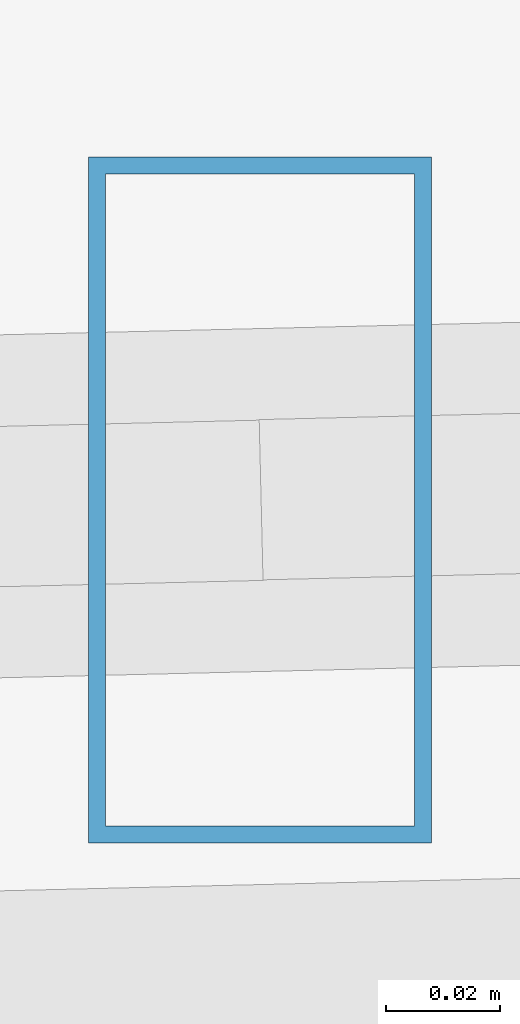
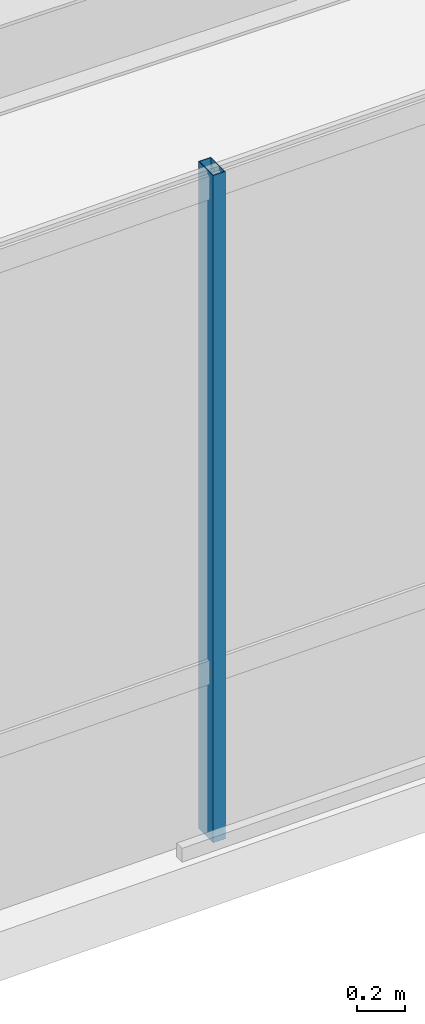
# One storey, part 5 of 45: 1 member, 1 element without a shape of its own.
"""IFC4 building model written with IfcOpenShell, lengths in metres."""

from ifc_helpers import new_model, si_unit, direction, frame, origin, origin_2d, place, context, subcontext, project, spatial, hollow_rectangle, extrude, source, transform, mapped, material, material_profile, profile_set, type_object, type_shapes, element, aggregate, save


model = new_model("IFC4")

# Units and contexts
model_context = context("Model", 3, precision=1e-05, world=origin(), true_north=direction((0.0, 1.0)))
body_context = subcontext(model_context, "Body", "Model", "MODEL_VIEW")
ifc_project = project(units=[si_unit("LENGTHUNIT", "METRE"), si_unit("AREAUNIT", "SQUARE_METRE"), si_unit("VOLUMEUNIT", "CUBIC_METRE"), si_unit("PLANEANGLEUNIT", "RADIAN"), si_unit("MASSUNIT", "GRAM", prefix="KILO")], contexts=[model_context])

# Site, building, storey
site_placement = place(None, origin())
site = spatial("IfcSite", under=ifc_project, at=site_placement, CompositionType="ELEMENT")
building_placement = place(site_placement, origin())
building = spatial("IfcBuilding", under=site, at=building_placement, Name="Caelisora Broadcast Tower", CompositionType="ELEMENT")
storey_placement = place(building_placement, frame((0.0, 0.0, 273.64990234375)))
storey = spatial("IfcBuildingStorey", under=building, at=storey_placement, Name="L72", CompositionType="ELEMENT", Elevation=273.64990234375)

# Curtain wall, member
ifc_material_1 = material(Name="Unitised Aluminium and Low-E Glass Curtain Wall", Category="glass")
curtain_wall_type = type_object("IfcCurtainWallType", Name="CW-Z5", PredefinedType="NOTDEFINED", material=ifc_material_1)
curtain_wall_placement = place(storey_placement, origin())
curtain_wall = element("IfcCurtainWall", 1, at=curtain_wall_placement, inside=storey, type_object=curtain_wall_type, Name="L72 curtain wall CW-Z5", PredefinedType="NOTDEFINED")
ifc_material_2 = material(Name="Aluminium 6063-T6 Anodised Terracotta Bronze", Category="aluminium")
ifc_material_profile = material_profile(ifc_material_2, hollow_rectangle(XDim=0.06005859375, YDim=0.1201171875, WallThickness=0.0029296875, at=origin_2d()), Name="Aluminium 6063-T6 Anodised Terracotta Bronze")
ifc_profile_set = profile_set([ifc_material_profile], Name="Aluminium 6063-T6 Anodised Terracotta Bronze")
member_type = type_object("IfcMemberType", Name="CWM-04", PredefinedType="MULLION", material=ifc_profile_set)
shared_shape = source(origin(), body_context, "Body", "SweptSolid", [
    extrude(hollow_rectangle(XDim=0.06005859375, YDim=0.1201171875, WallThickness=0.0029296875, at=origin_2d()), origin(), (0.0, 0.0, 1.0), 3.400146484375),
])
type_shapes(member_type, [shared_shape])
member_placement = place(storey_placement, frame((25.91259765625, 8.320556640625, 0.0), z_axis=(0.0, 0.0, 1.0), x_axis=(1.0, 0.0, 0.0)))
member = element("IfcMember", 2, at=member_placement, type_object=member_type, Name="L72-CW-B07 mullion #1", PredefinedType="MULLION", context=body_context, shape_type="MappedRepresentation", body=[
    mapped(shared_shape, transform((0.0, 0.0, 0.0), scale=1.0)),
])
aggregate(curtain_wall, [member])

save(model, "model.ifc")
